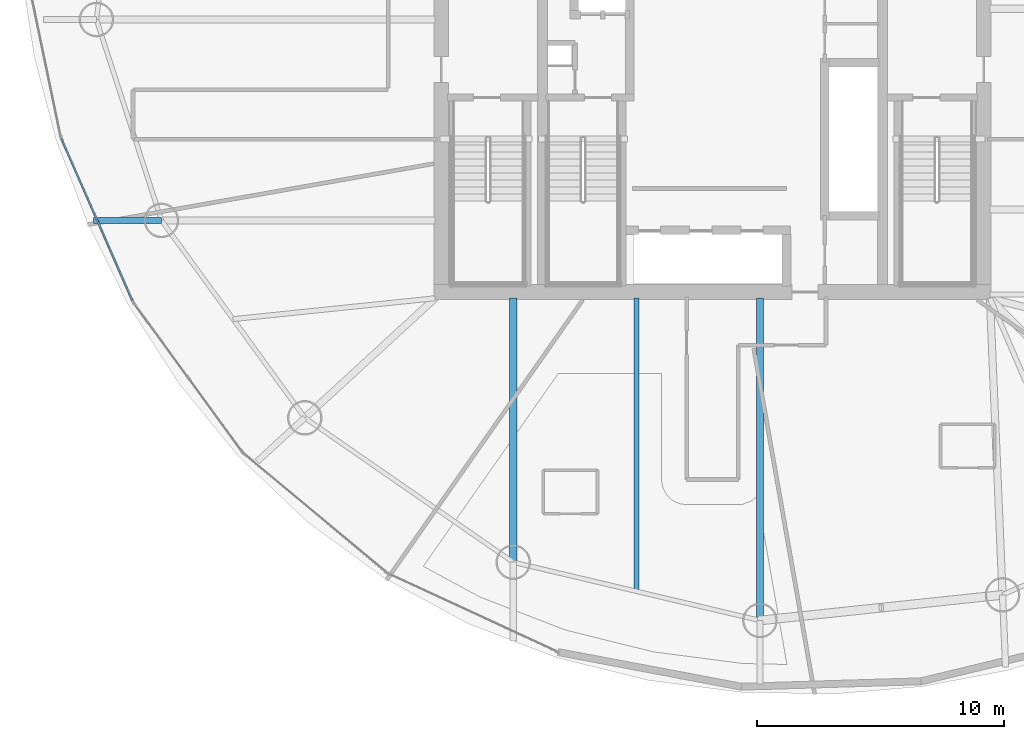
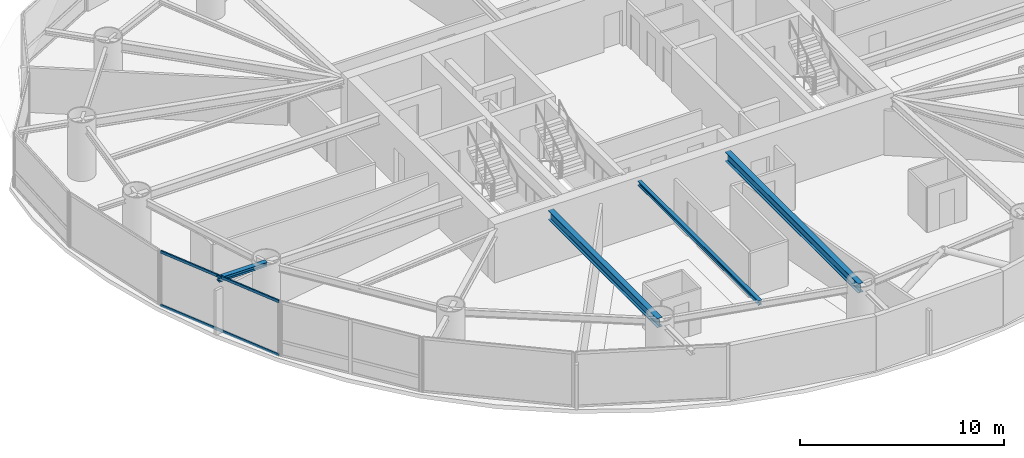
# One storey, part 5 of 23: 4 beams, 2 members, 1 element without a shape of its own.
"""IFC4 building model written with IfcOpenShell, lengths in metres."""

from ifc_helpers import new_model, si_unit, direction, frame, origin, origin_2d, place, context, subcontext, project, spatial, hollow_rectangle, i_section, extrude, material, layer, layer_set, material_profile, profile_set, type_object, element, aggregate, save


model = new_model("IFC4")

# Units and contexts
model_context = context("Model", 3, precision=1e-05, world=origin(), true_north=direction((0.0, 1.0)))
body_context = subcontext(model_context, "Body", "Model", "MODEL_VIEW")
ifc_project = project(units=[si_unit("LENGTHUNIT", "METRE"), si_unit("AREAUNIT", "SQUARE_METRE"), si_unit("VOLUMEUNIT", "CUBIC_METRE"), si_unit("PLANEANGLEUNIT", "RADIAN"), si_unit("MASSUNIT", "GRAM", prefix="KILO")], contexts=[model_context])

# Site, building, storey
site_placement = place(None, origin())
site = spatial("IfcSite", under=ifc_project, at=site_placement, CompositionType="ELEMENT")
building_placement = place(site_placement, origin())
building = spatial("IfcBuilding", under=site, at=building_placement, Name="Bramvorn Convention Spire", CompositionType="ELEMENT")
storey_placement = place(building_placement, frame((0.0, 0.0, 158.800048828125)))
storey = spatial("IfcBuildingStorey", under=building, at=storey_placement, Name="L40", CompositionType="ELEMENT", Elevation=158.800048828125)

# Beams
ifc_material_1 = material(Name="Steel CSA G40.21 Grade 350 (350W)", Category="steel")
ifc_material_profile_1 = material_profile(ifc_material_1, i_section(OverallWidth=0.201904296875, OverallDepth=0.2470703125, WebThickness=0.00732421875, FlangeThickness=0.010986328125, FilletRadius=0.011962890625, at=origin_2d()))
ifc_profile_set_1 = profile_set([ifc_material_profile_1], Name="Steel CSA G40.21 Grade 350 (350W) - W250X49")
beam_type_1 = type_object("IfcBeamType", Name="BM-W250X49", PredefinedType="JOIST", material=ifc_profile_set_1)
beam_1_placement = place(storey_placement, frame((34.920654296875, 18.550048828125, 3.136474609375), z_axis=(0.0, -1.0, 0.0), x_axis=(1.0, 0.0, 0.0)))
element("IfcBeam", 1, at=beam_1_placement, inside=storey, type_object=beam_type_1, Name="L40 composite floor joist 13", PredefinedType="JOIST", context=body_context, shape_type="SweptSolid", body=[
    extrude(i_section(OverallWidth=0.201904296875, OverallDepth=0.2470703125, WebThickness=0.00732421875, FlangeThickness=0.010986328125, FilletRadius=0.011962890625, at=origin_2d()), origin(), (0.0, 0.0, 1.0), 11.8857421875),
])
ifc_material_profile_2 = material_profile(ifc_material_1, i_section(OverallWidth=0.25390625, OverallDepth=0.2529296875, WebThickness=0.008544921875, FlangeThickness=0.01416015625, FilletRadius=0.011962890625, at=origin_2d()))
ifc_profile_set_2 = profile_set([ifc_material_profile_2], Name="Steel CSA G40.21 Grade 350 (350W) - W250X73")
beam_type_2 = type_object("IfcBeamType", Name="BM-W250X73", PredefinedType="BEAM", material=ifc_profile_set_2)
beam_2_placement = place(storey_placement, frame((15.654296875, 21.706787109375, 3.133544921875), z_axis=(-1.0, 0.0, 0.0), x_axis=(0.0, -1.0, 0.0)))
element("IfcBeam", 2, at=beam_2_placement, inside=storey, type_object=beam_type_2, Name="L40 slab-edge cantilever tip beam MC11", PredefinedType="BEAM", context=body_context, shape_type="SweptSolid", body=[
    extrude(i_section(OverallWidth=0.25390625, OverallDepth=0.2529296875, WebThickness=0.008544921875, FlangeThickness=0.01416015625, FilletRadius=0.011962890625, at=origin_2d()), origin(), (0.0, 0.0, 1.0), 2.748779296875),
])
ifc_material_profile_3 = material_profile(ifc_material_1, i_section(OverallWidth=0.2919921875, OverallDepth=0.551025390625, WebThickness=0.01513671875, FlangeThickness=0.0244140625, FilletRadius=0.01904296875, at=origin_2d()))
ifc_profile_set_3 = profile_set([ifc_material_profile_3], Name="Steel CSA G40.21 Grade 350 (350W) - W530X182")
beam_type_3 = type_object("IfcBeamType", Name="BM-W530X182", PredefinedType="BEAM", material=ifc_profile_set_3)
beam_3_placement = place(storey_placement, frame((29.917236328125, 18.550048828125, 2.984375), z_axis=(0.0, -1.0, 0.0), x_axis=(1.0, 0.0, 0.0)))
element("IfcBeam", 3, at=beam_3_placement, inside=storey, type_object=beam_type_3, Name="L40 radial floor girder MC13", PredefinedType="BEAM", context=body_context, shape_type="SweptSolid", body=[
    extrude(i_section(OverallWidth=0.2919921875, OverallDepth=0.551025390625, WebThickness=0.01513671875, FlangeThickness=0.0244140625, FilletRadius=0.01904296875, at=origin_2d()), origin(), (0.0, 0.0, 1.0), 10.7041015625),
])
beam_4_placement = place(storey_placement, frame((39.924072265625, 18.550048828125, 2.984375), z_axis=(0.0, -1.0, 0.0), x_axis=(1.0, 0.0, 0.0)))
element("IfcBeam", 4, at=beam_4_placement, inside=storey, type_object=beam_type_3, Name="L40 radial floor girder MC14", PredefinedType="BEAM", context=body_context, shape_type="SweptSolid", body=[
    extrude(i_section(OverallWidth=0.2919921875, OverallDepth=0.551025390625, WebThickness=0.01513671875, FlangeThickness=0.0244140625, FilletRadius=0.01904296875, at=origin_2d()), origin(), (0.0, 0.0, 1.0), 13.0673828125),
])

# Curtain wall, members
ifc_material_2 = material(Name="Anodised Bronze Unitised Curtain Wall", Category="aluminium")
ifc_layer = layer(ifc_material_2, 0.179931640625)
ifc_layer_set = layer_set([ifc_layer], Name="Anodised Bronze Unitised Curtain Wall - CW-HTL-FRIT")
curtain_wall_type = type_object("IfcCurtainWallType", Name="CW-HTL-FRIT", PredefinedType="USERDEFINED", material=ifc_layer_set)
curtain_wall_placement = place(storey_placement, origin())
curtain_wall = element("IfcCurtainWall", 5, at=curtain_wall_placement, inside=storey, type_object=curtain_wall_type, Name="L40 fritted glass curtain wall 16", ObjectType="UNITISED CURTAIN WALL", PredefinedType="USERDEFINED")
ifc_material_3 = material(Name="Anodised Bronze Aluminium 6063-T6", Category="aluminium")
ifc_material_profile_4 = material_profile(ifc_material_3, hollow_rectangle(XDim=0.080078125, YDim=0.159912109375, WallThickness=0.00390625, InnerFilletRadius=0.0009765625, OuterFilletRadius=0.00390625, at=origin_2d()))
ifc_profile_set_4 = profile_set([ifc_material_profile_4], Name="Anodised Bronze Aluminium 6063-T6 - CWT80X160")
member_type = type_object("IfcMemberType", Name="CW-TRN-150", PredefinedType="USERDEFINED", material=ifc_profile_set_4)
member_1_placement = place(storey_placement, frame((14.48388671875, 18.444091796875, 0.030029296875), z_axis=(-0.401518742881, 0.915850806144, 0.0), x_axis=(-0.915850806144, -0.401518742881, 0.0)))
member_1 = element("IfcMember", 6, at=member_1_placement, type_object=member_type, Name="CW2 transom 1.1", ObjectType="TRANSOM", PredefinedType="USERDEFINED", context=body_context, shape_type="SweptSolid", body=[
    extrude(hollow_rectangle(XDim=0.080078125, YDim=0.159912109375, WallThickness=0.00390625, InnerFilletRadius=0.0009765625, OuterFilletRadius=0.00390625, at=origin_2d()), origin(), (0.0, 0.0, 1.0), 7.171875),
])
member_2_placement = place(storey_placement, frame((14.48388671875, 18.444091796875, 3.22998046875), z_axis=(-0.401518742881, 0.915850806144, 0.0), x_axis=(-0.915850806144, -0.401518742881, 0.0)))
member_2 = element("IfcMember", 7, at=member_2_placement, type_object=member_type, Name="CW2 transom 1.2", ObjectType="TRANSOM", PredefinedType="USERDEFINED", context=body_context, shape_type="SweptSolid", body=[
    extrude(hollow_rectangle(XDim=0.080078125, YDim=0.159912109375, WallThickness=0.00390625, InnerFilletRadius=0.0009765625, OuterFilletRadius=0.00390625, at=origin_2d()), origin(), (0.0, 0.0, 1.0), 7.171875),
])
aggregate(curtain_wall, [member_1, member_2])

save(model, "model.ifc")
